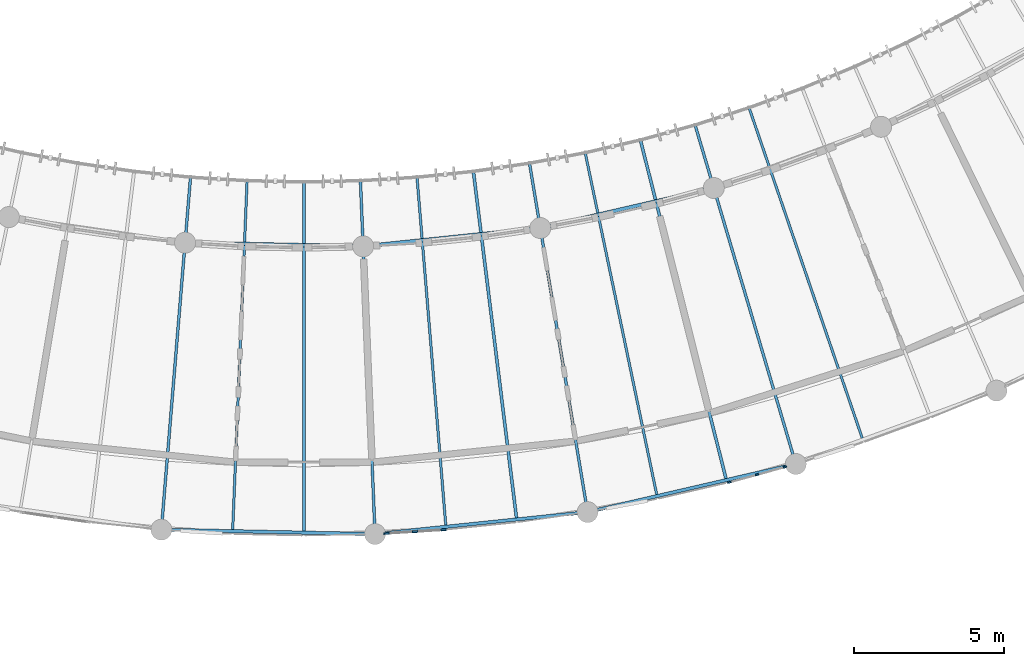
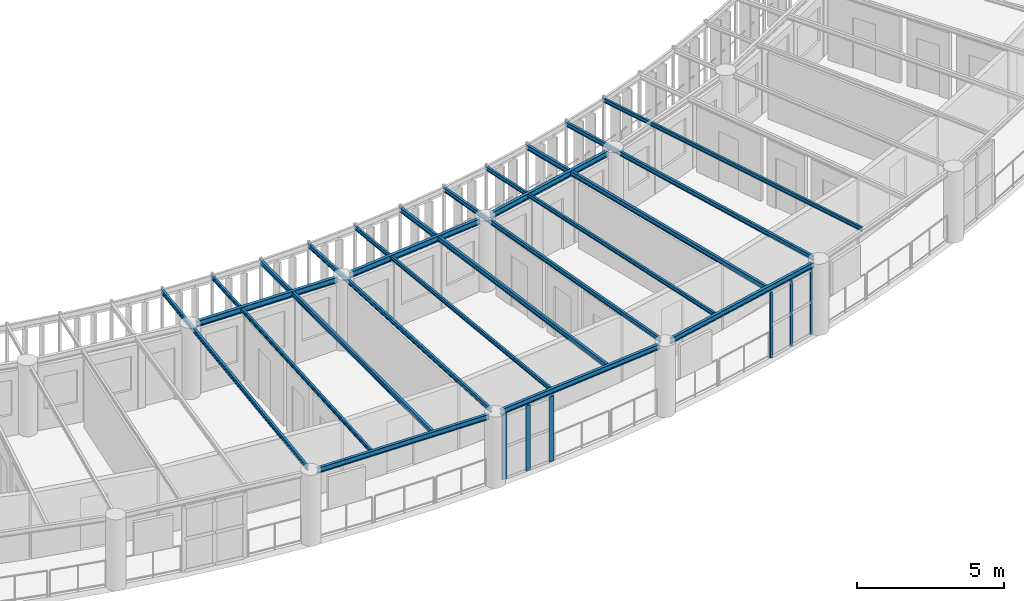
# One storey, part 16 of 123: 17 beams, 6 members, 2 elements without a shape of their own.
"""IFC4 building model written with IfcOpenShell, lengths in metres."""

from ifc_helpers import new_model, si_unit, direction, frame, origin, origin_2d, place, context, subcontext, project, spatial, rectangle, i_section, extrude, material, layer, layer_set, material_profile, profile_set, type_object, element, aggregate, save


model = new_model("IFC4")

# Units and contexts
model_context = context("Model", 3, precision=1e-05, world=origin(), true_north=direction((0.0, 1.0)))
body_context = subcontext(model_context, "Body", "Model", "MODEL_VIEW")
ifc_project = project(units=[si_unit("LENGTHUNIT", "METRE"), si_unit("AREAUNIT", "SQUARE_METRE"), si_unit("VOLUMEUNIT", "CUBIC_METRE"), si_unit("PLANEANGLEUNIT", "RADIAN"), si_unit("MASSUNIT", "GRAM", prefix="KILO"), si_unit("POWERUNIT", "WATT"), si_unit("THERMODYNAMICTEMPERATUREUNIT", "KELVIN")], contexts=[model_context])

# Site, building, storey
site_placement = place(None, origin())
site = spatial("IfcSite", under=ifc_project, at=site_placement, CompositionType="ELEMENT")
building_placement = place(site_placement, origin())
building = spatial("IfcBuilding", under=site, at=building_placement, Name="Ruvembo Vaulted Housing Court", CompositionType="ELEMENT")
storey_placement = place(building_placement, frame((0.0, 0.0, 7.699951171875)))
storey = spatial("IfcBuildingStorey", under=building, at=storey_placement, Name="L02", CompositionType="ELEMENT", Elevation=7.699951171875)

# Beams
ifc_material_1 = material(Name="Steel S355J2", Category="steel")
ifc_material_profile_1 = material_profile(ifc_material_1, i_section(OverallWidth=0.08203125, OverallDepth=0.159912109375, WebThickness=0.0048828125, FlangeThickness=0.00732421875, FilletRadius=0.009033203125, at=origin_2d()), Name="IPE 160")
ifc_profile_set_1 = profile_set([ifc_material_profile_1], Name="Steel S355J2")
beam_type_1 = type_object("IfcBeamType", Name="BM-ST-IPE160", PredefinedType="JOIST", material=ifc_profile_set_1)
for number, where, z_axis, x_axis, name in (
    (1, (66.630615234375, 4.596923828125, 2.860107421875), (0.041239703888, 0.999149281551, 0.0), (-0.999149281551, 0.041239703888, 0.0), "Scoop SC2 L02 Radial Steel Joist 13"),
    (2, (73.73486328125, 4.743408203125, 2.860107421875), (-0.082416447745, 0.996597977693, 0.0), (-0.996597977693, -0.082416447745, 0.0), "Scoop SC2 L02 Radial Steel Joist 16"),
):
    element("IfcBeam", number, at=place(storey_placement, frame(where, z_axis=z_axis, x_axis=x_axis)), inside=storey, type_object=beam_type_1, Name=name, PredefinedType="JOIST", context=body_context, shape_type="SweptSolid", body=[
        extrude(i_section(OverallWidth=0.08203125, OverallDepth=0.159912109375, WebThickness=0.0048828125, FlangeThickness=0.00732421875, FilletRadius=0.009033203125, at=origin_2d()), origin(), (0.0, 0.0, 1.0), 11.692138671875),
    ])
beam_1_placement = place(storey_placement, frame((80.7666015625, 5.765869140625, 2.860107421875), z_axis=(-0.204822214104, 0.9787991932, 0.0), x_axis=(-0.9787991932, -0.204822214104, 0.0)))
element("IfcBeam", 3, at=beam_1_placement, inside=storey, type_object=beam_type_1, Name="Scoop SC2 L02 Radial Steel Joist 19", PredefinedType="JOIST", context=body_context, shape_type="SweptSolid", body=[
    extrude(i_section(OverallWidth=0.08203125, OverallDepth=0.159912109375, WebThickness=0.0048828125, FlangeThickness=0.00732421875, FilletRadius=0.009033203125, at=origin_2d()), origin(), (0.0, 0.0, 1.0), 11.69189453125),
])
beam_2_placement = place(storey_placement, frame((87.618408203125, 7.6484375, 2.860107421875), z_axis=(-0.324072338174, 0.946032303693, 0.0), x_axis=(-0.946032303693, -0.324072338174, 0.0)))
element("IfcBeam", 4, at=beam_2_placement, inside=storey, type_object=beam_type_1, Name="Scoop SC2 L02 Radial Steel Joist 22", PredefinedType="JOIST", context=body_context, shape_type="SweptSolid", body=[
    extrude(i_section(OverallWidth=0.08203125, OverallDepth=0.159912109375, WebThickness=0.0048828125, FlangeThickness=0.00732421875, FilletRadius=0.009033203125, at=origin_2d()), origin(), (0.0, 0.0, 1.0), 11.692138671875),
])
ifc_material_profile_2 = material_profile(ifc_material_1, i_section(OverallWidth=0.091064453125, OverallDepth=0.179931640625, WebThickness=0.00537109375, FlangeThickness=0.008056640625, FilletRadius=0.009033203125, at=origin_2d()), Name="IPE 180")
ifc_profile_set_2 = profile_set([ifc_material_profile_2], Name="Steel S355J2")
beam_type_2 = type_object("IfcBeamType", Name="BM-ST-IPE180", PredefinedType="JOIST", material=ifc_profile_set_2)
for number, where, z_axis, x_axis, name in (
    (5, (64.27197265625, 4.8251953125, 2.85009765625), (0.082410260581, 0.996598489338, 0.0), (-0.996598489338, 0.082410260581, 0.0), "Scoop SC2 L02 Radial Steel Joist 12"),
    (6, (71.365966796875, 4.6787109375, 2.85009765625), (-0.041236073555, 0.999149431385, 0.0), (-0.999149431385, -0.041236073555, 0.0), "Scoop SC2 L02 Radial Steel Joist 15"),
    (7, (78.423828125, 5.4091796875, 2.85009765625), (-0.164272816363, 0.986414944029, 0.0), (-0.986414944029, -0.164272816363, 0.0), "Scoop SC2 L02 Radial Steel Joist 18"),
):
    element("IfcBeam", number, at=place(storey_placement, frame(where, z_axis=z_axis, x_axis=x_axis)), inside=storey, type_object=beam_type_2, Name=name, PredefinedType="JOIST", context=body_context, shape_type="SweptSolid", body=[
        extrude(i_section(OverallWidth=0.091064453125, OverallDepth=0.179931640625, WebThickness=0.00537109375, FlangeThickness=0.008056640625, FilletRadius=0.009033203125, at=origin_2d()), origin(), (0.0, 0.0, 1.0), 11.610107421875),
    ])
beam_3_placement = place(storey_placement, frame((85.337646484375, 7.005615234375, 2.85009765625), z_axis=(-0.28479063066, 0.95858974368, 0.0), x_axis=(-0.95858974368, -0.28479063066, 0.0)))
element("IfcBeam", 8, at=beam_3_placement, inside=storey, type_object=beam_type_2, Name="Scoop SC2 L02 Radial Steel Joist 21", PredefinedType="JOIST", context=body_context, shape_type="SweptSolid", body=[
    extrude(i_section(OverallWidth=0.091064453125, OverallDepth=0.179931640625, WebThickness=0.00537109375, FlangeThickness=0.008056640625, FilletRadius=0.009033203125, at=origin_2d()), origin(), (0.0, 0.0, 1.0), 11.60986328125),
])
ifc_material_profile_3 = material_profile(ifc_material_1, i_section(OverallWidth=0.10009765625, OverallDepth=0.199951171875, WebThickness=0.005615234375, FlangeThickness=0.008544921875, FilletRadius=0.011962890625, at=origin_2d()), Name="IPE 200")
ifc_profile_set_3 = profile_set([ifc_material_profile_3], Name="Steel S355J2")
beam_type_3 = type_object("IfcBeamType", Name="BM-ST-IPE200", PredefinedType="BEAM", material=ifc_profile_set_3)
beam_4_placement = place(storey_placement, frame((69.0, 4.548095703125, 2.840087890625), z_axis=(0.0, 1.0, 0.0), x_axis=(-1.0, 0.0, 0.0)))
element("IfcBeam", 9, at=beam_4_placement, inside=storey, type_object=beam_type_3, Name="Scoop SC2 L02 Radial Steel Joist 14", PredefinedType="BEAM", context=body_context, shape_type="SweptSolid", body=[
    extrude(i_section(OverallWidth=0.10009765625, OverallDepth=0.199951171875, WebThickness=0.005615234375, FlangeThickness=0.008544921875, FilletRadius=0.011962890625, at=origin_2d()), origin(), (0.0, 0.0, 1.0), 11.69189453125),
])
beam_5_placement = place(storey_placement, frame((76.092041015625, 4.9873046875, 2.840087890625), z_axis=(-0.123446200649, 0.992351266208, 0.0), x_axis=(-0.992351266208, -0.123446200649, 0.0)))
element("IfcBeam", 10, at=beam_5_placement, inside=storey, type_object=beam_type_3, Name="Scoop SC2 L02 Radial Steel Joist 17", PredefinedType="BEAM", context=body_context, shape_type="SweptSolid", body=[
    extrude(i_section(OverallWidth=0.10009765625, OverallDepth=0.199951171875, WebThickness=0.005615234375, FlangeThickness=0.008544921875, FilletRadius=0.011962890625, at=origin_2d()), origin(), (0.0, 0.0, 1.0), 11.692138671875),
])
beam_6_placement = place(storey_placement, frame((83.07568359375, 6.299072265625, 2.840087890625), z_axis=(-0.24500130138, 0.96952274977, 0.0), x_axis=(-0.96952274977, -0.24500130138, 0.0)))
element("IfcBeam", 11, at=beam_6_placement, inside=storey, type_object=beam_type_3, Name="Scoop SC2 L02 Radial Steel Joist 20", PredefinedType="BEAM", context=body_context, shape_type="SweptSolid", body=[
    extrude(i_section(OverallWidth=0.10009765625, OverallDepth=0.199951171875, WebThickness=0.005615234375, FlangeThickness=0.008544921875, FilletRadius=0.011962890625, at=origin_2d()), origin(), (0.0, 0.0, 1.0), 11.69189453125),
])
ifc_material_profile_4 = material_profile(ifc_material_1, i_section(OverallWidth=0.110107421875, OverallDepth=0.219970703125, WebThickness=0.005859375, FlangeThickness=0.00927734375, FilletRadius=0.011962890625, at=origin_2d()), Name="IPE 220")
ifc_profile_set_4 = profile_set([ifc_material_profile_4], Name="Steel S355J2")
beam_type_4 = type_object("IfcBeamType", Name="BM-ST-IPE220", PredefinedType="SPANDREL", material=ifc_profile_set_4)
for number, where, z_axis, x_axis, name in (
    (12, (64.48291015625, 4.59130859375, 2.83203125), (0.999786507784, -0.020662498732, 0.0), (0.020662498732, 0.999786507784, 0.0), "Scoop SC2 L02 Chord Girder B12"),
    (13, (71.604248046875, 4.47265625, 2.83203125), (0.994687008603, 0.102945397745, 0.0), (-0.102945397745, 0.994687008603, 0.0), "Scoop SC2 L02 Chord Girder B15"),
    (14, (78.685791015625, 5.234130859375, 2.83203125), (0.974363402743, 0.224979908868, 0.0), (-0.224979908868, 0.974363402743, 0.0), "Scoop SC2 L02 Chord Girder B18"),
):
    element("IfcBeam", number, at=place(storey_placement, frame(where, z_axis=z_axis, x_axis=x_axis)), inside=storey, type_object=beam_type_4, Name=name, PredefinedType="SPANDREL", context=body_context, shape_type="SweptSolid", body=[
        extrude(i_section(OverallWidth=0.110107421875, OverallDepth=0.219970703125, WebThickness=0.005859375, FlangeThickness=0.00927734375, FilletRadius=0.011962890625, at=origin_2d()), origin(), (0.0, 0.0, 1.0), 6.6640625),
    ])
ifc_material_profile_5 = material_profile(ifc_material_1, i_section(OverallWidth=0.1201171875, OverallDepth=0.239990234375, WebThickness=0.006103515625, FlangeThickness=0.009765625, FilletRadius=0.014892578125, at=origin_2d()), Name="IPE 240")
ifc_profile_set_5 = profile_set([ifc_material_profile_5], Name="Steel S355J2")
beam_type_5 = type_object("IfcBeamType", Name="BM-ST-IPE240", PredefinedType="BEAM", material=ifc_profile_set_5)
for number, where, z_axis, x_axis, name in (
    (15, (65.274169921875, 14.15869140625, 2.822021484375), (0.999786044132, -0.020684921054, 0.0), (0.020684921054, 0.999786044132, 0.0), "Scoop SC2 L02 Chord Girder F12"),
    (16, (71.20849609375, 14.064453125, 2.822021484375), (0.994683766642, 0.102976717651, 0.0), (-0.102976717651, 0.994683766642, 0.0), "Scoop SC2 L02 Chord Girder F15"),
    (17, (77.10888671875, 14.70361328125, 2.822021484375), (0.974361133797, 0.2249897352, 0.0), (-0.2249897352, 0.974361133797, 0.0), "Scoop SC2 L02 Chord Girder F18"),
):
    element("IfcBeam", number, at=place(storey_placement, frame(where, z_axis=z_axis, x_axis=x_axis)), inside=storey, type_object=beam_type_5, Name=name, PredefinedType="BEAM", context=body_context, shape_type="SweptSolid", body=[
        extrude(i_section(OverallWidth=0.1201171875, OverallDepth=0.239990234375, WebThickness=0.006103515625, FlangeThickness=0.009765625, FilletRadius=0.014892578125, at=origin_2d()), origin(), (0.0, 0.0, 1.0), 5.4765625),
    ])

# Curtain wall, members
ifc_material_2 = material(Name="Anodised Aluminium and Solar-Control Glass", Category="aluminium")
ifc_layer_1 = layer(ifc_material_2, 0.139892578125, Name="Anodised Aluminium and Solar-Control Glass")
ifc_layer_set_1 = layer_set([ifc_layer_1], Name="Anodised Aluminium and Solar-Control Glass")
curtain_wall_type_1 = type_object("IfcCurtainWallType", Name="CW-SCOOP-PAN", PredefinedType="NOTDEFINED", material=ifc_layer_set_1)
curtain_wall_1_placement = place(storey_placement, origin())
curtain_wall_1 = element("IfcCurtainWall", 18, at=curtain_wall_1_placement, inside=storey, type_object=curtain_wall_type_1, Name="L02 Curtain Wall CW-L02-0039", PredefinedType="NOTDEFINED")
ifc_material_3 = material(Name="Anodised Aluminium 6063-T6", Category="aluminium")
ifc_material_profile_6 = material_profile(ifc_material_3, rectangle(XDim=0.054931640625, YDim=0.1201171875, at=origin_2d()), Name="ALU 55x120")
ifc_profile_set_6 = profile_set([ifc_material_profile_6], Name="Anodised Aluminium 6063-T6")
member_type_1 = type_object("IfcMemberType", Name="CW-MUL-55x120", PredefinedType="MULLION", material=ifc_profile_set_6)
member_1_placement = place(storey_placement, frame((83.186767578125, 6.176025390625, 0.0), z_axis=(0.0, 0.0, 1.0), x_axis=(-0.264975341966, 0.964255188293, 0.0)))
member_1 = element("IfcMember", 19, at=member_1_placement, type_object=member_type_1, Name="CW10 mullion 1", PredefinedType="MULLION", context=body_context, shape_type="SweptSolid", body=[
    extrude(rectangle(XDim=0.054931640625, YDim=0.1201171875, at=origin_2d()), origin(), (0.0, 0.0, 1.0), 2.697998046875),
])
member_2_placement = place(storey_placement, frame((84.11279296875, 6.430419921875, 0.0), z_axis=(0.0, 0.0, 1.0), x_axis=(-0.264975341966, 0.964255188293, 0.0)))
member_2 = element("IfcMember", 20, at=member_2_placement, type_object=member_type_1, Name="CW10 mullion 2", PredefinedType="MULLION", context=body_context, shape_type="SweptSolid", body=[
    extrude(rectangle(XDim=0.054931640625, YDim=0.1201171875, at=origin_2d()), origin(), (0.0, 0.0, 1.0), 2.697998046875),
])
member_3_placement = place(storey_placement, frame((85.0390625, 6.68505859375, 0.0), z_axis=(0.0, 0.0, 1.0), x_axis=(-0.264975341966, 0.964255188293, 0.0)))
member_3 = element("IfcMember", 21, at=member_3_placement, type_object=member_type_1, Name="CW10 mullion 3", PredefinedType="MULLION", context=body_context, shape_type="SweptSolid", body=[
    extrude(rectangle(XDim=0.054931640625, YDim=0.1201171875, at=origin_2d()), origin(), (0.0, 0.0, 1.0), 2.697998046875),
])
aggregate(curtain_wall_1, [member_1, member_2, member_3])

ifc_layer_2 = layer(ifc_material_2, 0.1201171875, Name="Anodised Aluminium and Solar-Control Glass")
ifc_layer_set_2 = layer_set([ifc_layer_2], Name="Anodised Aluminium and Solar-Control Glass")
curtain_wall_type_2 = type_object("IfcCurtainWallType", Name="CW-SCOOP-GAL", PredefinedType="NOTDEFINED", material=ifc_layer_set_2)
curtain_wall_2_placement = place(storey_placement, origin())
curtain_wall_2 = element("IfcCurtainWall", 22, at=curtain_wall_2_placement, inside=storey, type_object=curtain_wall_type_2, Name="L02 Curtain Wall CW-L02-0038", PredefinedType="NOTDEFINED")
ifc_material_profile_7 = material_profile(ifc_material_3, rectangle(XDim=0.06494140625, YDim=0.179931640625, at=origin_2d()), Name="ALU 65x180")
ifc_profile_set_7 = profile_set([ifc_material_profile_7], Name="Anodised Aluminium 6063-T6")
member_type_2 = type_object("IfcMemberType", Name="CW-MUL-65x180", PredefinedType="MULLION", material=ifc_profile_set_7)
member_4_placement = place(storey_placement, frame((71.75732421875, 4.47265625, 0.0), z_axis=(0.0, 0.0, 1.0), x_axis=(-0.061839538585, 0.998086104235, 0.0)))
member_4 = element("IfcMember", 23, at=member_4_placement, type_object=member_type_2, Name="CW6 mullion 1", PredefinedType="MULLION", context=body_context, shape_type="SweptSolid", body=[
    extrude(rectangle(XDim=0.06494140625, YDim=0.179931640625, at=origin_2d()), origin(), (0.0, 0.0, 1.0), 2.697998046875),
])
member_5_placement = place(storey_placement, frame((72.7109375, 4.53173828125, 0.0), z_axis=(0.0, 0.0, 1.0), x_axis=(-0.061839538585, 0.998086104235, 0.0)))
member_5 = element("IfcMember", 24, at=member_5_placement, type_object=member_type_2, Name="CW6 mullion 2", PredefinedType="MULLION", context=body_context, shape_type="SweptSolid", body=[
    extrude(rectangle(XDim=0.06494140625, YDim=0.179931640625, at=origin_2d()), origin(), (0.0, 0.0, 1.0), 2.697998046875),
])
member_6_placement = place(storey_placement, frame((73.66455078125, 4.5908203125, 0.0), z_axis=(0.0, 0.0, 1.0), x_axis=(-0.061839538585, 0.998086104235, 0.0)))
member_6 = element("IfcMember", 25, at=member_6_placement, type_object=member_type_2, Name="CW6 mullion 3", PredefinedType="MULLION", context=body_context, shape_type="SweptSolid", body=[
    extrude(rectangle(XDim=0.06494140625, YDim=0.179931640625, at=origin_2d()), origin(), (0.0, 0.0, 1.0), 2.697998046875),
])
aggregate(curtain_wall_2, [member_4, member_5, member_6])

save(model, "model.ifc")
